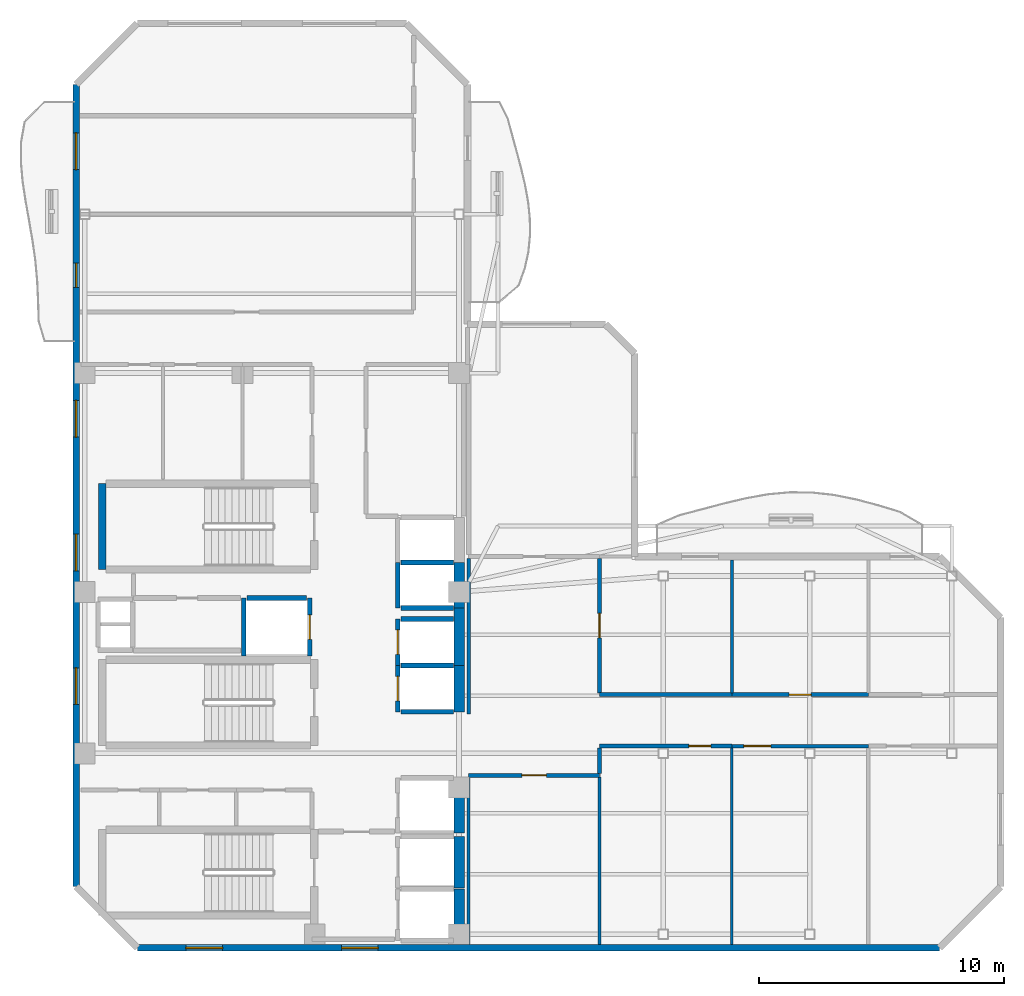
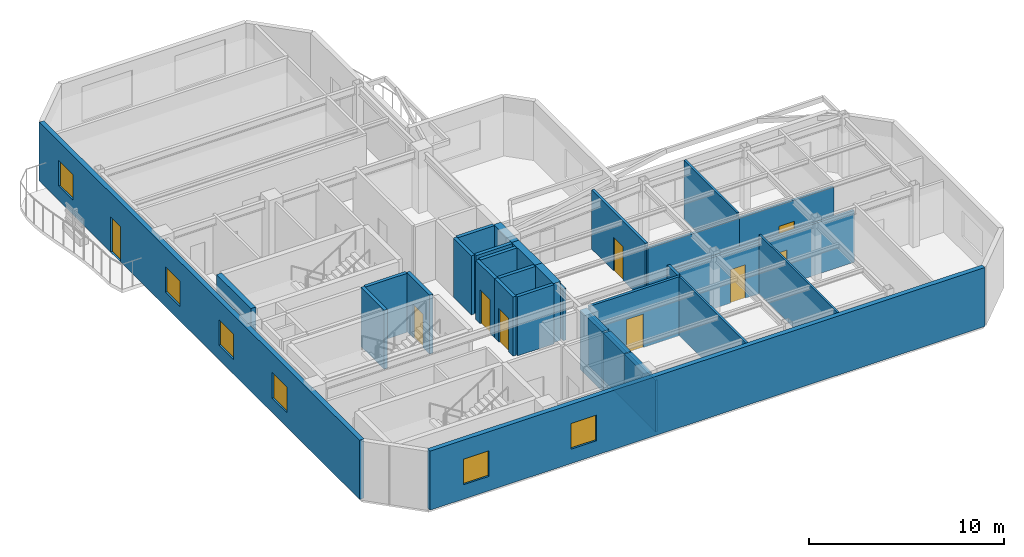
# One storey, part 3 of 7: 32 walls, 9 doors, 6 windows, 15 openings.
"""IFC4 building model written with IfcOpenShell, lengths in metres."""

from ifc_helpers import new_model, si_unit, direction, frame, frame_2d, origin, place, context, subcontext, project, spatial, rectangle, extrude, material, layer, layer_set, type_object, element, fill, save


model = new_model("IFC4")

# Units and contexts
model_context = context("Model", 3, precision=1e-05, world=origin(), true_north=direction((0.0, 1.0)))
body_context = subcontext(model_context, "Body", "Model", "MODEL_VIEW")
ifc_project = project(units=[si_unit("LENGTHUNIT", "METRE"), si_unit("AREAUNIT", "SQUARE_METRE"), si_unit("VOLUMEUNIT", "CUBIC_METRE"), si_unit("PLANEANGLEUNIT", "RADIAN"), si_unit("MASSUNIT", "GRAM", prefix="KILO")], contexts=[model_context])

# Site, building, storey
site_placement = place(None, origin())
site = spatial("IfcSite", under=ifc_project, at=site_placement, CompositionType="ELEMENT")
building_placement = place(site_placement, origin())
building = spatial("IfcBuilding", under=site, at=building_placement, Name="Mawjaban Terraces University", CompositionType="ELEMENT")
storey_placement = place(building_placement, frame((0.0, 0.0, 252.10009765625)))
storey = spatial("IfcBuildingStorey", under=building, at=storey_placement, Name="L61", CompositionType="ELEMENT", Elevation=252.10009765625)

# Walls
ifc_material_1 = material(Name="Concrete C50/60", Category="concrete")
ifc_layer_1 = layer(ifc_material_1, 0.419921875)
ifc_layer_set_1 = layer_set([ifc_layer_1], Name="Concrete C50/60")
wall_type_1 = type_object("IfcWallType", Name="CoreShearWall_420", PredefinedType="SHEAR", material=ifc_layer_set_1)
wall_1_placement = place(storey_placement, frame((37.659912109375, 0.300048828125, 0.0), z_axis=(0.0, 0.0, 1.0), x_axis=(0.0, 1.0, 0.0)))
element("IfcWall", 1, at=wall_1_placement, inside=storey, type_object=wall_type_1, Name="L61 Lift FL-1 Hoistway Wall East", PredefinedType="SHEAR", context=body_context, shape_type="SweptSolid", body=[
    extrude(rectangle(XDim=2.099853515625, YDim=0.419921875, at=frame_2d((1.0498046875, 0.0))), origin(), (0.0, 0.0, 1.0), 3.68994140625),
])
wall_2_placement = place(storey_placement, frame((37.659912109375, 2.449951171875, 0.0), z_axis=(0.0, 0.0, 1.0), x_axis=(0.0, 1.0, 0.0)))
element("IfcWall", 2, at=wall_2_placement, inside=storey, type_object=wall_type_1, Name="L61 Lift FL-2 Hoistway Wall East", PredefinedType="SHEAR", context=body_context, shape_type="SweptSolid", body=[
    extrude(rectangle(XDim=2.10009765625, YDim=0.419921875, at=frame_2d((1.050048828125, 0.0))), origin(), (0.0, 0.0, 1.0), 3.68994140625),
])
wall_3_placement = place(storey_placement, frame((37.659912109375, 4.699951171875, 0.0), z_axis=(0.0, 0.0, 1.0), x_axis=(0.0, 1.0, 0.0)))
element("IfcWall", 3, at=wall_3_placement, inside=storey, type_object=wall_type_1, Name="L61 Lift SL-1 Hoistway Wall East", PredefinedType="SHEAR", context=body_context, shape_type="SweptSolid", body=[
    extrude(rectangle(XDim=2.25, YDim=0.419921875, at=frame_2d((1.125, 0.0))), origin(), (0.0, 0.0, 1.0), 3.68994140625),
])
wall_4_placement = place(storey_placement, frame((37.659912109375, 9.64990234375, 0.0), z_axis=(0.0, 0.0, 1.0), x_axis=(0.0, 1.0, 0.0)))
element("IfcWall", 4, at=wall_4_placement, inside=storey, type_object=wall_type_1, Name="L61 Lift PL-H1 Hoistway Wall East", PredefinedType="SHEAR", context=body_context, shape_type="SweptSolid", body=[
    extrude(rectangle(XDim=1.900146484375, YDim=0.419921875, at=frame_2d((0.9501953125, 0.0))), origin(), (0.0, 0.0, 1.0), 3.68994140625),
])
wall_5_placement = place(storey_placement, frame((37.659912109375, 11.550048828125, 0.0), z_axis=(0.0, 0.0, 1.0), x_axis=(0.0, 1.0, 0.0)))
element("IfcWall", 5, at=wall_5_placement, inside=storey, type_object=wall_type_1, Name="L61 Lift PL-H2 Hoistway Wall East", PredefinedType="SHEAR", context=body_context, shape_type="SweptSolid", body=[
    extrude(rectangle(XDim=2.349853515625, YDim=0.419921875, at=frame_2d((1.1748046875, 0.0))), origin(), (0.0, 0.0, 1.0), 3.68994140625),
])
wall_6_placement = place(storey_placement, frame((37.659912109375, 13.89990234375, 0.0), z_axis=(0.0, 0.0, 1.0), x_axis=(0.0, 1.0, 0.0)))
element("IfcWall", 6, at=wall_6_placement, inside=storey, type_object=wall_type_1, Name="L61 Lift OL-1 Hoistway Wall East", PredefinedType="SHEAR", context=body_context, shape_type="SweptSolid", body=[
    extrude(rectangle(XDim=1.85009765625, YDim=0.419921875, at=frame_2d((0.925048828125, 0.0))), origin(), (0.0, 0.0, 1.0), 3.68994140625),
])

# Wall, opening, door
ifc_material_2 = material(Name="Fire-rated gypsum board on steel stud", Category="steel")
ifc_layer_2 = layer(ifc_material_2, 0.159912109375)
ifc_layer_set_2 = layer_set([ifc_layer_2], Name="Fire-rated gypsum board on steel stud")
wall_type_2 = type_object("IfcWallType", Name="CorridorPartition_160", PredefinedType="PARTITIONING", material=ifc_layer_set_2)
wall_7_placement = place(storey_placement, frame((38.050048828125, 7.050048828125, 0.0), z_axis=(0.0, 0.0, 1.0), x_axis=(1.0, 0.0, 0.0)))
wall_7 = element("IfcWall", 7, at=wall_7_placement, inside=storey, type_object=wall_type_2, Name="L61 Upper Research Hub Concourse Partition 16", PredefinedType="PARTITIONING", context=body_context, shape_type="SweptSolid", body=[
    extrude(rectangle(XDim=5.349853515625, YDim=0.159912109375, at=frame_2d((2.6748046875, 0.0))), origin(), (0.0, 0.0, 1.0), 3.68994140625),
])
opening_1_placement = place(wall_7_placement, frame((2.175048828125, 0.0, 0.0)))
opening_1 = element("IfcOpeningElement", 8, at=opening_1_placement, cuts=wall_7, Name="Opening ID-100", PredefinedType="OPENING", context=body_context, shape_type="SweptSolid", body=[
    extrude(rectangle(XDim=1.0, YDim=2.10009765625, at=frame_2d((0.5, 1.050048828125))), frame((0.0, 0.08984375, 0.0), z_axis=(0.0, -1.0, 0.0), x_axis=(1.0, 0.0, 0.0)), (0.0, 0.0, 1.0), 0.179931640625),
])
ifc_material_3 = material(Name="Powder-coated steel frame and solid acoustic timber leaf", Category="steel")
door_type_1 = type_object("IfcDoorType", Name="ClassroomDoor_1000x2100", OperationType="NOTDEFINED", PredefinedType="DOOR", material=ifc_material_3)
door_1_placement = place(opening_1_placement, origin())
door_1 = element("IfcDoor", 9, at=door_1_placement, inside=storey, type_object=door_type_1, Name="L61 Classroom 1 Door", OperationType="SINGLE_SWING_LEFT", OverallHeight=2.10009765625, OverallWidth=1.0, PredefinedType="DOOR", context=body_context, shape_type="SweptSolid", body=[
    extrude(rectangle(XDim=1.0, YDim=2.10009765625, at=frame_2d((0.5, 1.050048828125))), frame((0.0, 0.02490234375, 0.0), z_axis=(0.0, -1.0, 0.0), x_axis=(1.0, 0.0, 0.0)), (0.0, 0.0, 1.0), 0.050048828125),
])
fill(opening_1, door_1)

wall_8_placement = place(storey_placement, frame((43.39990234375, 8.25, 0.0), z_axis=(0.0, 0.0, 1.0), x_axis=(1.0, 0.0, 0.0)))
wall_8 = element("IfcWall", 10, at=wall_8_placement, inside=storey, type_object=wall_type_2, Name="L61 Upper East Research Corridor Partition 17", PredefinedType="PARTITIONING", context=body_context, shape_type="SweptSolid", body=[
    extrude(rectangle(XDim=5.41015625, YDim=0.159912109375, at=frame_2d((2.705078125, 0.0))), origin(), (0.0, 0.0, 1.0), 3.226806640625),
])
opening_2_placement = place(wall_8_placement, frame((3.655029296875, 0.0, 0.0)))
opening_2 = element("IfcOpeningElement", 11, at=opening_2_placement, cuts=wall_8, Name="Opening ID-090", PredefinedType="OPENING", context=body_context, shape_type="SweptSolid", body=[
    extrude(rectangle(XDim=0.89990234375, YDim=2.10009765625, at=frame_2d((0.449951171875, 1.050048828125))), frame((0.0, 0.08984375, 0.0), z_axis=(0.0, -1.0, 0.0), x_axis=(1.0, 0.0, 0.0)), (0.0, 0.0, 1.0), 0.179931640625),
])
door_type_2 = type_object("IfcDoorType", Name="OfficeDoor_900x2100", OperationType="NOTDEFINED", PredefinedType="DOOR", material=ifc_material_3)
door_2_placement = place(opening_2_placement, origin())
door_2 = element("IfcDoor", 12, at=door_2_placement, inside=storey, type_object=door_type_2, Name="L61 Seminar Room 2 Door", OperationType="SINGLE_SWING_RIGHT", OverallHeight=2.10009765625, OverallWidth=0.89990234375, PredefinedType="DOOR", context=body_context, shape_type="SweptSolid", body=[
    extrude(rectangle(XDim=0.89990234375, YDim=2.10009765625, at=frame_2d((0.449951171875, 1.050048828125))), frame((0.0, 0.02490234375, 0.0), z_axis=(0.0, -1.0, 0.0), x_axis=(1.0, 0.0, 0.0)), (0.0, 0.0, 1.0), 0.050048828125),
])
fill(opening_2, door_2)

# Wall
wall_9_placement = place(storey_placement, frame((48.81005859375, 10.35009765625, 0.0), z_axis=(0.0, 0.0, 1.0), x_axis=(-1.0, 0.0, 0.0)))
element("IfcWall", 13, at=wall_9_placement, inside=storey, type_object=wall_type_2, Name="L61 Upper East Research Corridor Partition 21", PredefinedType="PARTITIONING", context=body_context, shape_type="SweptSolid", body=[
    extrude(rectangle(XDim=5.41015625, YDim=0.159912109375, at=frame_2d((2.705078125, 0.0))), origin(), (0.0, 0.0, 1.0), 3.423828125),
])

# Wall, opening, door
wall_10_placement = place(storey_placement, frame((54.389892578125, 10.35009765625, 0.0), z_axis=(0.0, 0.0, 1.0), x_axis=(-1.0, 0.0, 0.0)))
wall_10 = element("IfcWall", 14, at=wall_10_placement, inside=storey, type_object=wall_type_2, Name="L61 Upper East Research Corridor Partition 23", PredefinedType="PARTITIONING", context=body_context, shape_type="SweptSolid", body=[
    extrude(rectangle(XDim=5.579833984375, YDim=0.159912109375, at=frame_2d((2.7900390625, 0.0))), origin(), (0.0, 0.0, 1.0), 3.423828125),
])
opening_3_placement = place(wall_10_placement, frame((2.340087890625, 0.0, 0.0)))
opening_3 = element("IfcOpeningElement", 15, at=opening_3_placement, cuts=wall_10, Name="Opening ID-090", PredefinedType="OPENING", context=body_context, shape_type="SweptSolid", body=[
    extrude(rectangle(XDim=0.89990234375, YDim=2.10009765625, at=frame_2d((0.449951171875, 1.050048828125))), frame((0.0, 0.08984375, 0.0), z_axis=(0.0, -1.0, 0.0), x_axis=(1.0, 0.0, 0.0)), (0.0, 0.0, 1.0), 0.179931640625),
])
door_3_placement = place(opening_3_placement, origin())
door_3 = element("IfcDoor", 16, at=door_3_placement, inside=storey, type_object=door_type_2, Name="L61 Seminar Room 5 Door", OperationType="SINGLE_SWING_LEFT", OverallHeight=2.10009765625, OverallWidth=0.89990234375, PredefinedType="DOOR", context=body_context, shape_type="SweptSolid", body=[
    extrude(rectangle(XDim=0.89990234375, YDim=2.10009765625, at=frame_2d((0.449951171875, 1.050048828125))), frame((0.0, 0.02490234375, 0.0), z_axis=(0.0, -1.0, 0.0), x_axis=(1.0, 0.0, 0.0)), (0.0, 0.0, 1.0), 0.050048828125),
])
fill(opening_3, door_3)

# Walls
wall_11_placement = place(storey_placement, frame((38.050048828125, 15.925048828125, 0.0), z_axis=(0.0, 0.0, 1.0), x_axis=(0.0, -1.0, 0.0)))
element("IfcWall", 17, at=wall_11_placement, inside=storey, type_object=wall_type_2, Name="L61 Upper Research Hub Concourse Partition 39", PredefinedType="PARTITIONING", context=body_context, shape_type="SweptSolid", body=[
    extrude(rectangle(XDim=6.375, YDim=0.159912109375, at=frame_2d((3.1875, 0.0))), origin(), (0.0, 0.0, 1.0), 3.226806640625),
])
wall_12_placement = place(storey_placement, frame((43.39990234375, 7.125, 0.0), z_axis=(0.0, 0.0, 1.0), x_axis=(0.0, 1.0, 0.0)))
element("IfcWall", 18, at=wall_12_placement, inside=storey, type_object=wall_type_2, Name="L61 Upper Research Hub Concourse Partition 42", PredefinedType="PARTITIONING", context=body_context, shape_type="SweptSolid", body=[
    extrude(rectangle(XDim=1.050048828125, YDim=0.159912109375, at=frame_2d((0.52490234375, 0.0))), origin(), (0.0, 0.0, 1.0), 3.68994140625),
])

# Wall, opening, door
wall_13_placement = place(storey_placement, frame((43.39990234375, 10.425048828125, 0.0), z_axis=(0.0, 0.0, 1.0), x_axis=(0.0, 1.0, 0.0)))
wall_13 = element("IfcWall", 19, at=wall_13_placement, inside=storey, type_object=wall_type_2, Name="L61 Upper Research Hub Concourse Partition 43", PredefinedType="PARTITIONING", context=body_context, shape_type="SweptSolid", body=[
    extrude(rectangle(XDim=5.5, YDim=0.159912109375, at=frame_2d((2.75, 0.0))), origin(), (0.0, 0.0, 1.0), 3.68994140625),
])
opening_4_placement = place(wall_13_placement, frame((2.25, 0.0, 0.0)))
opening_4 = element("IfcOpeningElement", 20, at=opening_4_placement, cuts=wall_13, Name="Opening ID-100", PredefinedType="OPENING", context=body_context, shape_type="SweptSolid", body=[
    extrude(rectangle(XDim=1.0, YDim=2.10009765625, at=frame_2d((0.5, 1.050048828125))), frame((0.0, 0.08984375, 0.0), z_axis=(0.0, -1.0, 0.0), x_axis=(1.0, 0.0, 0.0)), (0.0, 0.0, 1.0), 0.179931640625),
])
door_4_placement = place(opening_4_placement, origin())
door_4 = element("IfcDoor", 21, at=door_4_placement, inside=storey, type_object=door_type_1, Name="L61 Classroom 3 Door", OperationType="SINGLE_SWING_LEFT", OverallHeight=2.10009765625, OverallWidth=1.0, PredefinedType="DOOR", context=body_context, shape_type="SweptSolid", body=[
    extrude(rectangle(XDim=1.0, YDim=2.10009765625, at=frame_2d((0.5, 1.050048828125))), frame((0.0, 0.02490234375, 0.0), z_axis=(0.0, -1.0, 0.0), x_axis=(1.0, 0.0, 0.0)), (0.0, 0.0, 1.0), 0.050048828125),
])
fill(opening_4, door_4)

# Wall, openings, windows
ifc_material_4 = material(Name="Insulated terracotta rainscreen on concrete backup C40/50", Category="masonry")
ifc_layer_3 = layer(ifc_material_4, 0.27490234375)
ifc_layer_set_3 = layer_set([ifc_layer_3], Name="Insulated terracotta rainscreen on concrete backup C40/50")
wall_type_3 = type_object("IfcWallType", Name="ExtTerracottaWall_275", PredefinedType="SOLIDWALL", material=ifc_layer_set_3)
wall_14_placement = place(storey_placement, frame((24.5, 0.0, 0.0), z_axis=(0.0, 0.0, 1.0), x_axis=(1.0, 0.0, 0.0)))
wall_14 = element("IfcWall", 22, at=wall_14_placement, inside=storey, type_object=wall_type_3, Name="L61 Exterior Terracotta Wall 1", PredefinedType="SOLIDWALL", context=body_context, shape_type="SweptSolid", body=[
    extrude(rectangle(XDim=32.800048828125, YDim=0.27490234375, at=frame_2d((16.39990234375, 0.0))), origin(), (0.0, 0.0, 1.0), 3.68994140625),
])
opening_5_placement = place(wall_14_placement, frame((1.98291015625, 0.0, 0.89990234375)))
opening_5 = element("IfcOpeningElement", 23, at=opening_5_placement, cuts=wall_14, Name="Opening W-02", PredefinedType="OPENING", context=body_context, shape_type="SweptSolid", body=[
    extrude(rectangle(XDim=1.5, YDim=1.60009765625, at=frame_2d((0.75, 0.800048828125))), frame((0.0, 0.1474609375, 0.0), z_axis=(0.0, -1.0, 0.0), x_axis=(1.0, 0.0, 0.0)), (0.0, 0.0, 1.0), 0.294921875),
])
opening_6_placement = place(wall_14_placement, frame((8.35009765625, 0.0, 0.89990234375)))
opening_6 = element("IfcOpeningElement", 24, at=opening_6_placement, cuts=wall_14, Name="Opening W-02", PredefinedType="OPENING", context=body_context, shape_type="SweptSolid", body=[
    extrude(rectangle(XDim=1.5, YDim=1.60009765625, at=frame_2d((0.75, 0.800048828125))), frame((0.0, 0.1474609375, 0.0), z_axis=(0.0, -1.0, 0.0), x_axis=(1.0, 0.0, 0.0)), (0.0, 0.0, 1.0), 0.294921875),
])
ifc_material_5 = material(Name="Low-E solar-control double glazing in thermally broken aluminium frame", Category="aluminium")
window_type = type_object("IfcWindowType", Name="Win_1500x1600", PartitioningType="SINGLE_PANEL", PredefinedType="WINDOW", material=ifc_material_5)
window_1_placement = place(opening_5_placement, origin())
window_1 = element("IfcWindow", 25, at=window_1_placement, inside=storey, type_object=window_type, Name="L61 Facade Window 1.1", OverallHeight=1.60009765625, OverallWidth=1.5, PartitioningType="SINGLE_PANEL", PredefinedType="WINDOW", context=body_context, shape_type="SweptSolid", body=[
    extrude(rectangle(XDim=1.5, YDim=1.60009765625, at=frame_2d((0.75, 0.800048828125))), frame((0.0, 0.030029296875, 0.0), z_axis=(0.0, -1.0, 0.0), x_axis=(1.0, 0.0, 0.0)), (0.0, 0.0, 1.0), 0.06005859375),
])
fill(opening_5, window_1)
window_2_placement = place(opening_6_placement, origin())
window_2 = element("IfcWindow", 26, at=window_2_placement, inside=storey, type_object=window_type, Name="L61 Facade Window 1.2", OverallHeight=1.60009765625, OverallWidth=1.5, PartitioningType="SINGLE_PANEL", PredefinedType="WINDOW", context=body_context, shape_type="SweptSolid", body=[
    extrude(rectangle(XDim=1.5, YDim=1.60009765625, at=frame_2d((0.75, 0.800048828125))), frame((0.0, 0.030029296875, 0.0), z_axis=(0.0, -1.0, 0.0), x_axis=(1.0, 0.0, 0.0)), (0.0, 0.0, 1.0), 0.06005859375),
])
fill(opening_6, window_2)

# Wall, openings, door, windows
wall_15_placement = place(storey_placement, frame((22.0, 35.300048828125, 0.0), z_axis=(0.0, 0.0, 1.0), x_axis=(0.0, -1.0, 0.0)))
wall_15 = element("IfcWall", 27, at=wall_15_placement, inside=storey, type_object=wall_type_3, Name="L61 Exterior Terracotta Wall 13", PredefinedType="SOLIDWALL", context=body_context, shape_type="SweptSolid", body=[
    extrude(rectangle(XDim=32.800048828125, YDim=0.27490234375, at=frame_2d((16.39990234375, 0.0))), origin(), (0.0, 0.0, 1.0), 3.68994140625),
])
opening_7_placement = place(wall_15_placement, frame((7.300048828125, 0.0, 0.0)))
opening_7 = element("IfcOpeningElement", 28, at=opening_7_placement, cuts=wall_15, Name="Opening BD-100", PredefinedType="OPENING", context=body_context, shape_type="SweptSolid", body=[
    extrude(rectangle(XDim=1.0, YDim=2.199951171875, at=frame_2d((0.5, 1.10009765625))), frame((0.0, 0.1474609375, 0.0), z_axis=(0.0, -1.0, 0.0), x_axis=(1.0, 0.0, 0.0)), (0.0, 0.0, 1.0), 0.294921875),
])
opening_8_placement = place(wall_15_placement, frame((1.98291015625, 0.0, 0.89990234375)))
opening_8 = element("IfcOpeningElement", 29, at=opening_8_placement, cuts=wall_15, Name="Opening W-02", PredefinedType="OPENING", context=body_context, shape_type="SweptSolid", body=[
    extrude(rectangle(XDim=1.5, YDim=1.60009765625, at=frame_2d((0.75, 0.800048828125))), frame((0.0, 0.1474609375, 0.0), z_axis=(0.0, -1.0, 0.0), x_axis=(1.0, 0.0, 0.0)), (0.0, 0.0, 1.0), 0.294921875),
])
opening_9_placement = place(wall_15_placement, frame((12.9169921875, 0.0, 0.89990234375)))
opening_9 = element("IfcOpeningElement", 30, at=opening_9_placement, cuts=wall_15, Name="Opening W-02", PredefinedType="OPENING", context=body_context, shape_type="SweptSolid", body=[
    extrude(rectangle(XDim=1.5, YDim=1.60009765625, at=frame_2d((0.75, 0.800048828125))), frame((0.0, 0.1474609375, 0.0), z_axis=(0.0, -1.0, 0.0), x_axis=(1.0, 0.0, 0.0)), (0.0, 0.0, 1.0), 0.294921875),
])
opening_10_placement = place(wall_15_placement, frame((18.383056640625, 0.0, 0.89990234375)))
opening_10 = element("IfcOpeningElement", 31, at=opening_10_placement, cuts=wall_15, Name="Opening W-02", PredefinedType="OPENING", context=body_context, shape_type="SweptSolid", body=[
    extrude(rectangle(XDim=1.5, YDim=1.60009765625, at=frame_2d((0.75, 0.800048828125))), frame((0.0, 0.1474609375, 0.0), z_axis=(0.0, -1.0, 0.0), x_axis=(1.0, 0.0, 0.0)), (0.0, 0.0, 1.0), 0.294921875),
])
opening_11_placement = place(wall_15_placement, frame((23.85009765625, 0.0, 0.89990234375)))
opening_11 = element("IfcOpeningElement", 32, at=opening_11_placement, cuts=wall_15, Name="Opening W-02", PredefinedType="OPENING", context=body_context, shape_type="SweptSolid", body=[
    extrude(rectangle(XDim=1.5, YDim=1.60009765625, at=frame_2d((0.75, 0.800048828125))), frame((0.0, 0.1474609375, 0.0), z_axis=(0.0, -1.0, 0.0), x_axis=(1.0, 0.0, 0.0)), (0.0, 0.0, 1.0), 0.294921875),
])
ifc_material_6 = material(Name="Thermally broken anodised aluminium and laminated safety glass", Category="aluminium")
door_type_3 = type_object("IfcDoorType", Name="BalconyGlazedDoor_1000x2200", OperationType="NOTDEFINED", PredefinedType="DOOR", material=ifc_material_6)
door_5_placement = place(opening_7_placement, origin())
door_5 = element("IfcDoor", 33, at=door_5_placement, inside=storey, type_object=door_type_3, Name="L61 Balcony Access Door west", OperationType="SINGLE_SWING_RIGHT", OverallHeight=2.199951171875, OverallWidth=1.0, PredefinedType="DOOR", context=body_context, shape_type="SweptSolid", body=[
    extrude(rectangle(XDim=1.0, YDim=2.199951171875, at=frame_2d((0.5, 1.10009765625))), frame((0.0, 0.02490234375, 0.0), z_axis=(0.0, -1.0, 0.0), x_axis=(1.0, 0.0, 0.0)), (0.0, 0.0, 1.0), 0.050048828125),
])
fill(opening_7, door_5)
window_3_placement = place(opening_8_placement, origin())
window_3 = element("IfcWindow", 34, at=window_3_placement, inside=storey, type_object=window_type, Name="L61 Facade Window 13.1", OverallHeight=1.60009765625, OverallWidth=1.5, PartitioningType="SINGLE_PANEL", PredefinedType="WINDOW", context=body_context, shape_type="SweptSolid", body=[
    extrude(rectangle(XDim=1.5, YDim=1.60009765625, at=frame_2d((0.75, 0.800048828125))), frame((0.0, 0.030029296875, 0.0), z_axis=(0.0, -1.0, 0.0), x_axis=(1.0, 0.0, 0.0)), (0.0, 0.0, 1.0), 0.06005859375),
])
fill(opening_8, window_3)
window_4_placement = place(opening_9_placement, origin())
window_4 = element("IfcWindow", 35, at=window_4_placement, inside=storey, type_object=window_type, Name="L61 Facade Window 13.3", OverallHeight=1.60009765625, OverallWidth=1.5, PartitioningType="SINGLE_PANEL", PredefinedType="WINDOW", context=body_context, shape_type="SweptSolid", body=[
    extrude(rectangle(XDim=1.5, YDim=1.60009765625, at=frame_2d((0.75, 0.800048828125))), frame((0.0, 0.030029296875, 0.0), z_axis=(0.0, -1.0, 0.0), x_axis=(1.0, 0.0, 0.0)), (0.0, 0.0, 1.0), 0.06005859375),
])
fill(opening_9, window_4)
window_5_placement = place(opening_10_placement, origin())
window_5 = element("IfcWindow", 36, at=window_5_placement, inside=storey, type_object=window_type, Name="L61 Facade Window 13.4", OverallHeight=1.60009765625, OverallWidth=1.5, PartitioningType="SINGLE_PANEL", PredefinedType="WINDOW", context=body_context, shape_type="SweptSolid", body=[
    extrude(rectangle(XDim=1.5, YDim=1.60009765625, at=frame_2d((0.75, 0.800048828125))), frame((0.0, 0.030029296875, 0.0), z_axis=(0.0, -1.0, 0.0), x_axis=(1.0, 0.0, 0.0)), (0.0, 0.0, 1.0), 0.06005859375),
])
fill(opening_10, window_5)
window_6_placement = place(opening_11_placement, origin())
window_6 = element("IfcWindow", 37, at=window_6_placement, inside=storey, type_object=window_type, Name="L61 Facade Window 13.5", OverallHeight=1.60009765625, OverallWidth=1.5, PartitioningType="SINGLE_PANEL", PredefinedType="WINDOW", context=body_context, shape_type="SweptSolid", body=[
    extrude(rectangle(XDim=1.5, YDim=1.60009765625, at=frame_2d((0.75, 0.800048828125))), frame((0.0, 0.030029296875, 0.0), z_axis=(0.0, -1.0, 0.0), x_axis=(1.0, 0.0, 0.0)), (0.0, 0.0, 1.0), 0.06005859375),
])
fill(opening_11, window_6)

# Wall, opening, door
ifc_material_7 = material(Name="Concrete C40/50", Category="concrete")
ifc_layer_4 = layer(ifc_material_7, 0.199951171875)
ifc_layer_set_4 = layer_set([ifc_layer_4], Name="Concrete C40/50")
wall_type_4 = type_object("IfcWallType", Name="FireLobbyWall_200", PredefinedType="SOLIDWALL", material=ifc_layer_set_4)
wall_16_placement = place(storey_placement, frame((35.14990234375, 11.550048828125, 0.0), z_axis=(0.0, 0.0, 1.0), x_axis=(0.0, -1.0, 0.0)))
wall_16 = element("IfcWall", 38, at=wall_16_placement, inside=storey, type_object=wall_type_4, Name="L61 Lift PL-H1 Hoistway Wall West", PredefinedType="SOLIDWALL", context=body_context, shape_type="SweptSolid", body=[
    extrude(rectangle(XDim=1.900146484375, YDim=0.199951171875, at=frame_2d((0.9501953125, 0.0))), origin(), (0.0, 0.0, 1.0), 3.68994140625),
])
opening_12_placement = place(wall_16_placement, frame((0.449951171875, 0.0, 0.0)))
opening_12 = element("IfcOpeningElement", 39, at=opening_12_placement, cuts=wall_16, Name="Opening LD-PL-H1", PredefinedType="OPENING", context=body_context, shape_type="SweptSolid", body=[
    extrude(rectangle(XDim=1.0, YDim=2.10009765625, at=frame_2d((0.5, 1.050048828125))), frame((0.0, 0.10986328125, 0.0), z_axis=(0.0, -1.0, 0.0), x_axis=(1.0, 0.0, 0.0)), (0.0, 0.0, 1.0), 0.219970703125),
])
ifc_material_8 = material(Name="Powder-coated steel frame and fire-rated steel-faced leaf", Category="steel")
door_type_4 = type_object("IfcDoorType", Name="LiftLandingSliding_1000x2100", OperationType="NOTDEFINED", PredefinedType="DOOR", material=ifc_material_8)
door_6_placement = place(opening_12_placement, origin())
door_6 = element("IfcDoor", 40, at=door_6_placement, inside=storey, type_object=door_type_4, Name="L61 Lift PL-H1 Sliding Landing Door", OperationType="DOUBLE_DOOR_SLIDING", OverallHeight=2.10009765625, OverallWidth=1.0, PredefinedType="DOOR", context=body_context, shape_type="SweptSolid", body=[
    extrude(rectangle(XDim=1.0, YDim=2.10009765625, at=frame_2d((0.5, 1.050048828125))), frame((0.0, 0.02490234375, 0.0), z_axis=(0.0, -1.0, 0.0), x_axis=(1.0, 0.0, 0.0)), (0.0, 0.0, 1.0), 0.050048828125),
])
fill(opening_12, door_6)

# Walls
for number, where, z_axis, x_axis, name in (
    (41, (35.280029296875, 9.64990234375, 0.0), (0.0, 0.0, 1.0), (1.0, 0.0, 0.0), "L61 Lift PL-H1 Hoistway Wall South"),
    (42, (37.419921875, 11.550048828125, 0.0), (0.0, 0.0, 1.0), (-1.0, 0.0, 0.0), "L61 Lift PL-H1 Hoistway Wall North"),
):
    element("IfcWall", number, at=place(storey_placement, frame(where, z_axis=z_axis, x_axis=x_axis)), inside=storey, type_object=wall_type_4, Name=name, PredefinedType="SOLIDWALL", context=body_context, shape_type="SweptSolid", body=[
        extrude(rectangle(XDim=2.139892578125, YDim=0.199951171875, at=frame_2d((1.06982421875, 0.0))), origin(), (0.0, 0.0, 1.0), 3.68994140625),
    ])

# Wall, opening, door
wall_17_placement = place(storey_placement, frame((35.14990234375, 13.449951171875, 0.0), z_axis=(0.0, 0.0, 1.0), x_axis=(0.0, -1.0, 0.0)))
wall_17 = element("IfcWall", 43, at=wall_17_placement, inside=storey, type_object=wall_type_4, Name="L61 Lift PL-H2 Hoistway Wall West", PredefinedType="SOLIDWALL", context=body_context, shape_type="SweptSolid", body=[
    extrude(rectangle(XDim=1.89990234375, YDim=0.199951171875, at=frame_2d((0.949951171875, 0.0))), origin(), (0.0, 0.0, 1.0), 3.68994140625),
])
opening_13_placement = place(wall_17_placement, frame((0.449951171875, 0.0, 0.0)))
opening_13 = element("IfcOpeningElement", 44, at=opening_13_placement, cuts=wall_17, Name="Opening LD-PL-H2", PredefinedType="OPENING", context=body_context, shape_type="SweptSolid", body=[
    extrude(rectangle(XDim=1.0, YDim=2.10009765625, at=frame_2d((0.5, 1.050048828125))), frame((0.0, 0.10986328125, 0.0), z_axis=(0.0, -1.0, 0.0), x_axis=(1.0, 0.0, 0.0)), (0.0, 0.0, 1.0), 0.219970703125),
])
door_7_placement = place(opening_13_placement, origin())
door_7 = element("IfcDoor", 45, at=door_7_placement, inside=storey, type_object=door_type_4, Name="L61 Lift PL-H2 Sliding Landing Door", OperationType="DOUBLE_DOOR_SLIDING", OverallHeight=2.10009765625, OverallWidth=1.0, PredefinedType="DOOR", context=body_context, shape_type="SweptSolid", body=[
    extrude(rectangle(XDim=1.0, YDim=2.10009765625, at=frame_2d((0.5, 1.050048828125))), frame((0.0, 0.02490234375, 0.0), z_axis=(0.0, -1.0, 0.0), x_axis=(1.0, 0.0, 0.0)), (0.0, 0.0, 1.0), 0.050048828125),
])
fill(opening_13, door_7)

# Walls
wall_18_placement = place(storey_placement, frame((37.419921875, 13.449951171875, 0.0), z_axis=(0.0, 0.0, 1.0), x_axis=(-1.0, 0.0, 0.0)))
element("IfcWall", 46, at=wall_18_placement, inside=storey, type_object=wall_type_4, Name="L61 Lift PL-H2 Hoistway Wall North", PredefinedType="SOLIDWALL", context=body_context, shape_type="SweptSolid", body=[
    extrude(rectangle(XDim=2.139892578125, YDim=0.199951171875, at=frame_2d((1.06982421875, 0.0))), origin(), (0.0, 0.0, 1.0), 3.68994140625),
])
wall_19_placement = place(storey_placement, frame((28.85009765625, 14.300048828125, 0.0), z_axis=(0.0, 0.0, 1.0), x_axis=(0.0, -1.0, 0.0)))
element("IfcWall", 47, at=wall_19_placement, inside=storey, type_object=wall_type_4, Name="L61 Lift PL-H3 Hoistway Wall West", PredefinedType="SOLIDWALL", context=body_context, shape_type="SweptSolid", body=[
    extrude(rectangle(XDim=2.3701171875, YDim=0.199951171875, at=frame_2d((1.18505859375, 0.0))), origin(), (0.0, 0.0, 1.0), 3.68994140625),
])

# Wall, opening, door
wall_20_placement = place(storey_placement, frame((31.550048828125, 11.929931640625, 0.0), z_axis=(0.0, 0.0, 1.0), x_axis=(0.0, 1.0, 0.0)))
wall_20 = element("IfcWall", 48, at=wall_20_placement, inside=storey, type_object=wall_type_4, Name="L61 Lift PL-H3 Hoistway Wall East", PredefinedType="SOLIDWALL", context=body_context, shape_type="SweptSolid", body=[
    extrude(rectangle(XDim=2.3701171875, YDim=0.199951171875, at=frame_2d((1.18505859375, 0.0))), origin(), (0.0, 0.0, 1.0), 3.68994140625),
])
opening_14_placement = place(wall_20_placement, frame((0.68505859375, 0.0, 0.0)))
opening_14 = element("IfcOpeningElement", 49, at=opening_14_placement, cuts=wall_20, Name="Opening LD-PL-H3", PredefinedType="OPENING", context=body_context, shape_type="SweptSolid", body=[
    extrude(rectangle(XDim=1.0, YDim=2.10009765625, at=frame_2d((0.5, 1.050048828125))), frame((0.0, 0.10986328125, 0.0), z_axis=(0.0, -1.0, 0.0), x_axis=(1.0, 0.0, 0.0)), (0.0, 0.0, 1.0), 0.219970703125),
])
door_8_placement = place(opening_14_placement, origin())
door_8 = element("IfcDoor", 50, at=door_8_placement, inside=storey, type_object=door_type_4, Name="L61 Lift PL-H3 Sliding Landing Door", OperationType="DOUBLE_DOOR_SLIDING", OverallHeight=2.10009765625, OverallWidth=1.0, PredefinedType="DOOR", context=body_context, shape_type="SweptSolid", body=[
    extrude(rectangle(XDim=1.0, YDim=2.10009765625, at=frame_2d((0.5, 1.050048828125))), frame((0.0, 0.02490234375, 0.0), z_axis=(0.0, -1.0, 0.0), x_axis=(1.0, 0.0, 0.0)), (0.0, 0.0, 1.0), 0.050048828125),
])
fill(opening_14, door_8)

# Walls
wall_21_placement = place(storey_placement, frame((31.419921875, 14.300048828125, 0.0), z_axis=(0.0, 0.0, 1.0), x_axis=(-1.0, 0.0, 0.0)))
element("IfcWall", 51, at=wall_21_placement, inside=storey, type_object=wall_type_4, Name="L61 Lift PL-H3 Hoistway Wall North", PredefinedType="SOLIDWALL", context=body_context, shape_type="SweptSolid", body=[
    extrude(rectangle(XDim=2.43994140625, YDim=0.199951171875, at=frame_2d((1.219970703125, 0.0))), origin(), (0.0, 0.0, 1.0), 3.68994140625),
])
wall_22_placement = place(storey_placement, frame((35.14990234375, 15.75, 0.0), z_axis=(0.0, 0.0, 1.0), x_axis=(0.0, -1.0, 0.0)))
element("IfcWall", 52, at=wall_22_placement, inside=storey, type_object=wall_type_4, Name="L61 Lift OL-1 Hoistway Wall West", PredefinedType="SOLIDWALL", context=body_context, shape_type="SweptSolid", body=[
    extrude(rectangle(XDim=1.85009765625, YDim=0.199951171875, at=frame_2d((0.925048828125, 0.0))), origin(), (0.0, 0.0, 1.0), 3.68994140625),
])
for number, where, z_axis, x_axis, name in (
    (53, (35.280029296875, 13.89990234375, 0.0), (0.0, 0.0, 1.0), (1.0, 0.0, 0.0), "L61 Lift OL-1 Hoistway Wall South"),
    (54, (37.419921875, 15.75, 0.0), (0.0, 0.0, 1.0), (-1.0, 0.0, 0.0), "L61 Lift OL-1 Hoistway Wall North"),
):
    element("IfcWall", number, at=place(storey_placement, frame(where, z_axis=z_axis, x_axis=x_axis)), inside=storey, type_object=wall_type_4, Name=name, PredefinedType="SOLIDWALL", context=body_context, shape_type="SweptSolid", body=[
        extrude(rectangle(XDim=2.139892578125, YDim=0.199951171875, at=frame_2d((1.06982421875, 0.0))), origin(), (0.0, 0.0, 1.0), 3.68994140625),
    ])

# Wall, opening, door
ifc_material_9 = material(Name="Moisture-resistant gypsum board on steel stud", Category="steel")
ifc_layer_5 = layer(ifc_material_9, 0.14501953125)
ifc_layer_set_5 = layer_set([ifc_layer_5], Name="Moisture-resistant gypsum board on steel stud")
wall_type_5 = type_object("IfcWallType", Name="LabPartition_145", PredefinedType="PARTITIONING", material=ifc_layer_set_5)
wall_23_placement = place(storey_placement, frame((48.81005859375, 8.25, 0.0), z_axis=(0.0, 0.0, 1.0), x_axis=(1.0, 0.0, 0.0)))
wall_23 = element("IfcWall", 55, at=wall_23_placement, inside=storey, type_object=wall_type_5, Name="L61 Upper East Research Corridor Partition 20", PredefinedType="PARTITIONING", context=body_context, shape_type="SweptSolid", body=[
    extrude(rectangle(XDim=5.579833984375, YDim=0.14501953125, at=frame_2d((2.7900390625, 0.0))), origin(), (0.0, 0.0, 1.0), 3.226806640625),
])
opening_15_placement = place(wall_23_placement, frame((0.489990234375, 0.0, 0.0)))
opening_15 = element("IfcOpeningElement", 56, at=opening_15_placement, cuts=wall_23, Name="Opening ID-110", PredefinedType="OPENING", context=body_context, shape_type="SweptSolid", body=[
    extrude(rectangle(XDim=1.10009765625, YDim=2.14990234375, at=frame_2d((0.550048828125, 1.074951171875))), frame((0.0, 0.08251953125, 0.0), z_axis=(0.0, -1.0, 0.0), x_axis=(1.0, 0.0, 0.0)), (0.0, 0.0, 1.0), 0.1650390625),
])
door_type_5 = type_object("IfcDoorType", Name="LabDoor_1100x2150", OperationType="NOTDEFINED", PredefinedType="DOOR", material=ifc_material_3)
door_9_placement = place(opening_15_placement, origin())
door_9 = element("IfcDoor", 57, at=door_9_placement, inside=storey, type_object=door_type_5, Name="L61 Teaching Laboratory 4 Door", OperationType="SINGLE_SWING_RIGHT", OverallHeight=2.14990234375, OverallWidth=1.10009765625, PredefinedType="DOOR", context=body_context, shape_type="SweptSolid", body=[
    extrude(rectangle(XDim=1.10009765625, YDim=2.14990234375, at=frame_2d((0.550048828125, 1.074951171875))), frame((0.0, 0.02490234375, 0.0), z_axis=(0.0, -1.0, 0.0), x_axis=(1.0, 0.0, 0.0)), (0.0, 0.0, 1.0), 0.050048828125),
])
fill(opening_15, door_9)

# Walls
ifc_material_10 = material(Name="Gypsum plasterboard on steel stud", Category="steel")
ifc_layer_6 = layer(ifc_material_10, 0.125)
ifc_layer_set_6 = layer_set([ifc_layer_6], Name="Gypsum plasterboard on steel stud")
wall_type_6 = type_object("IfcWallType", Name="OfficePartition_125", PredefinedType="PARTITIONING", material=ifc_layer_set_6)
wall_24_placement = place(storey_placement, frame((38.050048828125, 6.97509765625, 0.0), z_axis=(0.0, 0.0, 1.0), x_axis=(0.0, -1.0, 0.0)))
element("IfcWall", 58, at=wall_24_placement, inside=storey, type_object=wall_type_6, Name="L61 Classroom 1 Partition 38", PredefinedType="PARTITIONING", context=body_context, shape_type="SweptSolid", body=[
    extrude(rectangle(XDim=6.842041015625, YDim=0.125, at=frame_2d((3.4208984375, 0.0))), origin(), (0.0, 0.0, 1.0), 3.226806640625),
])
wall_25_placement = place(storey_placement, frame((43.39990234375, 0.133056640625, 0.0), z_axis=(0.0, 0.0, 1.0), x_axis=(0.0, 1.0, 0.0)))
element("IfcWall", 59, at=wall_25_placement, inside=storey, type_object=wall_type_6, Name="L61 Classroom 1 Partition 41", PredefinedType="PARTITIONING", context=body_context, shape_type="SweptSolid", body=[
    extrude(rectangle(XDim=6.842041015625, YDim=0.125, at=frame_2d((3.4208984375, 0.0))), origin(), (0.0, 0.0, 1.0), 3.68994140625),
])
wall_26_placement = place(storey_placement, frame((48.81005859375, 10.425048828125, 0.0), z_axis=(0.0, 0.0, 1.0), x_axis=(0.0, 1.0, 0.0)))
element("IfcWall", 60, at=wall_26_placement, inside=storey, type_object=wall_type_6, Name="L61 Classroom 3 Partition 45", PredefinedType="PARTITIONING", context=body_context, shape_type="SweptSolid", body=[
    extrude(rectangle(XDim=5.44189453125, YDim=0.125, at=frame_2d((2.720947265625, 0.0))), origin(), (0.0, 0.0, 1.0), 3.68994140625),
])
ifc_material_11 = material(Name="Acoustic operable panel partition", Category="masonry")
ifc_layer_7 = layer(ifc_material_11, 0.110107421875)
ifc_layer_set_7 = layer_set([ifc_layer_7], Name="Acoustic operable panel partition")
wall_type_7 = type_object("IfcWallType", Name="OperableSeminarWall_110", PredefinedType="MOVABLE", material=ifc_layer_set_7)
wall_27_placement = place(storey_placement, frame((48.81005859375, 0.133056640625, 0.0), z_axis=(0.0, 0.0, 1.0), x_axis=(0.0, 1.0, 0.0)))
element("IfcWall", 61, at=wall_27_placement, inside=storey, type_object=wall_type_7, Name="L61 Seminar Room 2 Partition 44", PredefinedType="MOVABLE", context=body_context, shape_type="SweptSolid", body=[
    extrude(rectangle(XDim=8.0419921875, YDim=0.110107421875, at=frame_2d((4.02099609375, 0.0))), origin(), (0.0, 0.0, 1.0), 3.68994140625),
])
ifc_material_12 = material(Name="Concrete C60/75", Category="concrete")
ifc_layer_8 = layer(ifc_material_12, 0.300048828125)
ifc_layer_set_8 = layer_set([ifc_layer_8], Name="Concrete C60/75")
wall_type_8 = type_object("IfcWallType", Name="StairShaftWall_300", PredefinedType="SHEAR", material=ifc_layer_set_8)
wall_28_placement = place(storey_placement, frame((23.070068359375, 18.97998046875, 0.0), z_axis=(0.0, 0.0, 1.0), x_axis=(0.0, -1.0, 0.0)))
element("IfcWall", 62, at=wall_28_placement, inside=storey, type_object=wall_type_8, Name="L61 ST-2 Stair Shaft Wall 2", PredefinedType="SHEAR", context=body_context, shape_type="SweptSolid", body=[
    extrude(rectangle(XDim=3.510009765625, YDim=0.300048828125, at=frame_2d((1.7548828125, 0.0))), origin(), (0.0, 0.0, 1.0), 3.68994140625),
])

save(model, "model.ifc")
